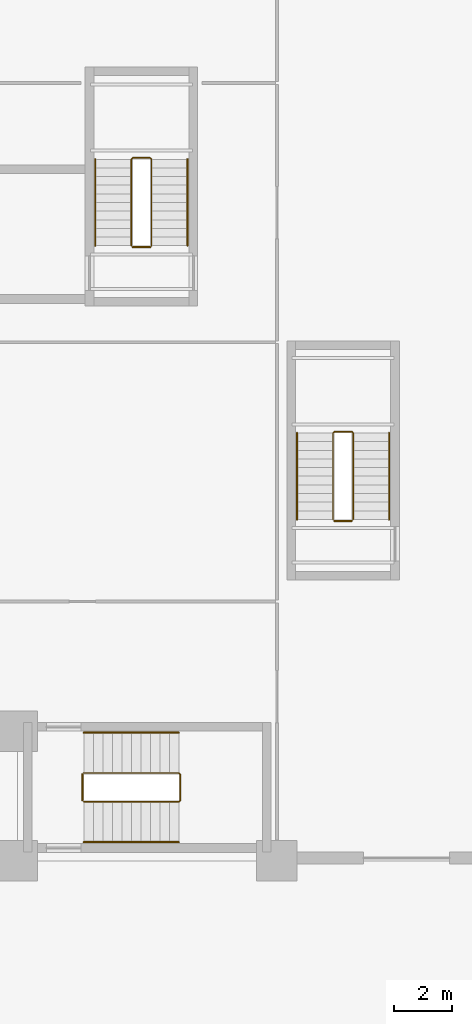
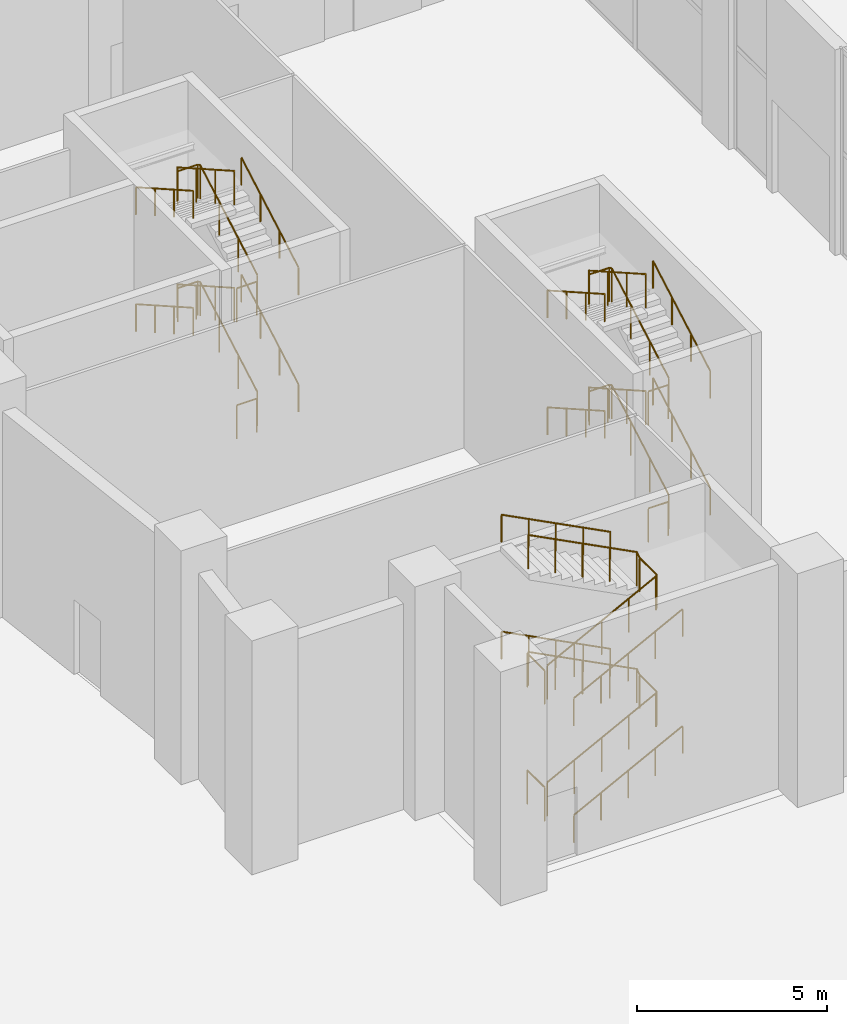
# One storey, part 13 of 16: 24 railings.
"""IFC4 building model written with IfcOpenShell, lengths in metres."""

from ifc_helpers import new_model, si_unit, direction, frame, origin, origin_2d, place, context, subcontext, project, spatial, circle, extrude, material, type_object, element, save


model = new_model("IFC4")

# Units and contexts
model_context = context("Model", 3, precision=1e-05, world=origin(), true_north=direction((0.0, 1.0)))
body_context = subcontext(model_context, "Body", "Model", "MODEL_VIEW")
ifc_project = project(units=[si_unit("LENGTHUNIT", "METRE"), si_unit("AREAUNIT", "SQUARE_METRE"), si_unit("VOLUMEUNIT", "CUBIC_METRE"), si_unit("PLANEANGLEUNIT", "RADIAN"), si_unit("MASSUNIT", "GRAM", prefix="KILO")], contexts=[model_context])

# Site, building, storey
site_placement = place(None, origin())
site = spatial("IfcSite", under=ifc_project, at=site_placement, CompositionType="ELEMENT")
building_placement = place(site_placement, origin())
building = spatial("IfcBuilding", under=site, at=building_placement, Name="Brondeck Convention Tower", CompositionType="ELEMENT")
storey_placement = place(building_placement, origin())
storey = spatial("IfcBuildingStorey", under=building, at=storey_placement, Name="L00", CompositionType="ELEMENT", Elevation=0.0)

# Railings
ifc_material = material(Name="Steel S355", Category="steel")
railing_type_1 = type_object("IfcRailingType", Name="Stair guard 1100", PredefinedType="GUARDRAIL", material=ifc_material)
railing_1_placement = place(storey_placement, frame((9.14990234375, 21.35009765625, 0.17041015625)))
element("IfcRailing", 1, at=railing_1_placement, inside=storey, type_object=railing_type_1, Name="L00 ST-BE stair guard 1", PredefinedType="GUARDRAIL", context=body_context, shape_type="SweptSolid", body=[
    extrude(circle(Radius=0.02392578125, at=origin_2d()), frame((0.0, 0.0, 1.076171875), z_axis=(0.0, 0.869451031676, 0.494019132744), x_axis=(-1.0, 0.0, 0.0)), (0.0, 0.0, 1.0), 3.450439453125),
    extrude(circle(Radius=0.02392578125, at=origin_2d()), frame((0.0, 3.0, 2.78076171875), z_axis=(-0.707106781187, 0.707106781187, 0.0), x_axis=(-0.707106781187, -0.707106781187, 0.0)), (0.0, 0.0, 1.0), 0.0703125),
    extrude(circle(Radius=0.02392578125, at=origin_2d()), frame((-0.0498046875, 3.0498046875, 2.78076171875), z_axis=(-1.0, 0.0, 0.0), x_axis=(0.0, -1.0, 0.0)), (0.0, 0.0, 1.0), 0.60009765625),
    extrude(circle(Radius=0.02392578125, at=origin_2d()), frame((-0.64990234375, 3.0498046875, 2.78076171875), z_axis=(-0.271328091682, -0.270004540015, 0.923839063385), x_axis=(0.705375805398, -0.708833529934, 0.0)), (0.0, 0.0, 1.0), 0.1845703125),
    extrude(circle(Radius=0.02392578125, at=origin_2d()), frame((-0.699951171875, 3.0, 2.951171875), z_axis=(0.0, -0.869451031676, 0.494019132744), x_axis=(1.0, 0.0, 0.0)), (0.0, 0.0, 1.0), 3.450439453125),
    extrude(circle(Radius=0.02099609375, at=origin_2d()), origin(), (0.0, 0.0, 1.0), 1.052001953125),
    extrude(circle(Radius=0.02099609375, at=origin_2d()), frame((0.0, 1.0, 0.568115234375)), (0.0, 0.0, 1.0), 1.052001953125),
    extrude(circle(Radius=0.02099609375, at=origin_2d()), frame((0.0, 2.0, 1.136474609375)), (0.0, 0.0, 1.0), 1.052001953125),
    extrude(circle(Radius=0.02099609375, at=origin_2d()), frame((0.0, 3.0, 1.70458984375)), (0.0, 0.0, 1.0), 1.052001953125),
    extrude(circle(Radius=0.02099609375, at=origin_2d()), frame((-0.0498046875, 3.0498046875, 1.70458984375)), (0.0, 0.0, 1.0), 1.052001953125),
    extrude(circle(Radius=0.02099609375, at=origin_2d()), frame((-0.64990234375, 3.0498046875, 1.70458984375)), (0.0, 0.0, 1.0), 1.052001953125),
    extrude(circle(Radius=0.02099609375, at=origin_2d()), frame((-0.699951171875, 3.0, 1.875)), (0.0, 0.0, 1.0), 1.052001953125),
    extrude(circle(Radius=0.02099609375, at=origin_2d()), frame((-0.699951171875, 2.0, 2.443115234375)), (0.0, 0.0, 1.0), 1.052001953125),
    extrude(circle(Radius=0.02099609375, at=origin_2d()), frame((-0.699951171875, 1.0, 3.011474609375)), (0.0, 0.0, 1.0), 1.052001953125),
    extrude(circle(Radius=0.02099609375, at=origin_2d()), frame((-0.699951171875, 0.0, 3.57958984375)), (0.0, 0.0, 1.0), 1.052001953125),
])
railing_2_placement = place(storey_placement, frame((9.10009765625, 21.300048828125, 3.75)))
element("IfcRailing", 2, at=railing_2_placement, inside=storey, type_object=railing_type_1, Name="L00 ST-BE stair guard 2", PredefinedType="GUARDRAIL", context=body_context, shape_type="SweptSolid", body=[
    extrude(circle(Radius=0.02392578125, at=origin_2d()), frame((0.0, 0.0, 1.076171875), z_axis=(-1.0, 0.0, 0.0), x_axis=(0.0, -1.0, 0.0)), (0.0, 0.0, 1.0), 0.60009765625),
    extrude(circle(Radius=0.02099609375, at=origin_2d()), origin(), (0.0, 0.0, 1.0), 1.052001953125),
    extrude(circle(Radius=0.02099609375, at=origin_2d()), frame((-0.60009765625, 0.0, 0.0)), (0.0, 0.0, 1.0), 1.052001953125),
])
railing_3_placement = place(storey_placement, frame((9.14990234375, 21.35009765625, 3.92041015625)))
element("IfcRailing", 3, at=railing_3_placement, inside=storey, type_object=railing_type_1, Name="L00 ST-BE stair guard 3", PredefinedType="GUARDRAIL", context=body_context, shape_type="SweptSolid", body=[
    extrude(circle(Radius=0.02392578125, at=origin_2d()), frame((0.0, 0.0, 1.076171875), z_axis=(0.0, 0.869451031676, 0.494019132744), x_axis=(-1.0, 0.0, 0.0)), (0.0, 0.0, 1.0), 3.450439453125),
    extrude(circle(Radius=0.02392578125, at=origin_2d()), frame((0.0, 3.0, 2.78076171875), z_axis=(-0.707106781187, 0.707106781187, 0.0), x_axis=(-0.707106781187, -0.707106781187, 0.0)), (0.0, 0.0, 1.0), 0.0703125),
    extrude(circle(Radius=0.02392578125, at=origin_2d()), frame((-0.0498046875, 3.0498046875, 2.78076171875), z_axis=(-1.0, 0.0, 0.0), x_axis=(0.0, -1.0, 0.0)), (0.0, 0.0, 1.0), 0.60009765625),
    extrude(circle(Radius=0.02392578125, at=origin_2d()), frame((-0.64990234375, 3.0498046875, 2.78076171875), z_axis=(-0.271328091682, -0.270004540015, 0.923839063385), x_axis=(0.705375805398, -0.708833529934, 0.0)), (0.0, 0.0, 1.0), 0.1845703125),
    extrude(circle(Radius=0.02392578125, at=origin_2d()), frame((-0.699951171875, 3.0, 2.951171875), z_axis=(0.0, -0.869451031676, 0.494019132744), x_axis=(1.0, 0.0, 0.0)), (0.0, 0.0, 1.0), 3.450439453125),
    extrude(circle(Radius=0.02099609375, at=origin_2d()), origin(), (0.0, 0.0, 1.0), 1.052001953125),
    extrude(circle(Radius=0.02099609375, at=origin_2d()), frame((0.0, 1.0, 0.568115234375)), (0.0, 0.0, 1.0), 1.052001953125),
    extrude(circle(Radius=0.02099609375, at=origin_2d()), frame((0.0, 2.0, 1.136474609375)), (0.0, 0.0, 1.0), 1.052001953125),
    extrude(circle(Radius=0.02099609375, at=origin_2d()), frame((0.0, 3.0, 1.70458984375)), (0.0, 0.0, 1.0), 1.052001953125),
    extrude(circle(Radius=0.02099609375, at=origin_2d()), frame((-0.0498046875, 3.0498046875, 1.70458984375)), (0.0, 0.0, 1.0), 1.052001953125),
    extrude(circle(Radius=0.02099609375, at=origin_2d()), frame((-0.64990234375, 3.0498046875, 1.70458984375)), (0.0, 0.0, 1.0), 1.052001953125),
    extrude(circle(Radius=0.02099609375, at=origin_2d()), frame((-0.699951171875, 3.0, 1.875)), (0.0, 0.0, 1.0), 1.052001953125),
    extrude(circle(Radius=0.02099609375, at=origin_2d()), frame((-0.699951171875, 2.0, 2.443115234375)), (0.0, 0.0, 1.0), 1.052001953125),
    extrude(circle(Radius=0.02099609375, at=origin_2d()), frame((-0.699951171875, 1.0, 3.011474609375)), (0.0, 0.0, 1.0), 1.052001953125),
    extrude(circle(Radius=0.02099609375, at=origin_2d()), frame((-0.699951171875, 0.0, 3.57958984375)), (0.0, 0.0, 1.0), 1.052001953125),
])
railing_4_placement = place(storey_placement, frame((9.10009765625, 21.300048828125, 0.0)))
element("IfcRailing", 4, at=railing_4_placement, inside=storey, type_object=railing_type_1, Name="L00 ST-BE stair guard 4", PredefinedType="GUARDRAIL", context=body_context, shape_type="SweptSolid", body=[
    extrude(circle(Radius=0.02392578125, at=origin_2d()), frame((0.0, 0.0, 1.076171875), z_axis=(-1.0, 0.0, 0.0), x_axis=(0.0, -1.0, 0.0)), (0.0, 0.0, 1.0), 0.60009765625),
    extrude(circle(Radius=0.02099609375, at=origin_2d()), origin(), (0.0, 0.0, 1.0), 1.052001953125),
    extrude(circle(Radius=0.02099609375, at=origin_2d()), frame((-0.60009765625, 0.0, 0.0)), (0.0, 0.0, 1.0), 1.052001953125),
])
railing_5_placement = place(storey_placement, frame((16.14990234375, 11.85009765625, 0.17041015625)))
element("IfcRailing", 5, at=railing_5_placement, inside=storey, type_object=railing_type_1, Name="L00 ST-BF stair guard 1", PredefinedType="GUARDRAIL", context=body_context, shape_type="SweptSolid", body=[
    extrude(circle(Radius=0.02392578125, at=origin_2d()), frame((0.0, 0.0, 1.076171875), z_axis=(0.0, 0.869451031676, 0.494019132744), x_axis=(-1.0, 0.0, 0.0)), (0.0, 0.0, 1.0), 3.450439453125),
    extrude(circle(Radius=0.02392578125, at=origin_2d()), frame((0.0, 3.0, 2.78076171875), z_axis=(-0.707106781187, 0.707106781187, 0.0), x_axis=(-0.707106781187, -0.707106781187, 0.0)), (0.0, 0.0, 1.0), 0.0703125),
    extrude(circle(Radius=0.02392578125, at=origin_2d()), frame((-0.0498046875, 3.0498046875, 2.78076171875), z_axis=(-1.0, 0.0, 0.0), x_axis=(0.0, -1.0, 0.0)), (0.0, 0.0, 1.0), 0.60009765625),
    extrude(circle(Radius=0.02392578125, at=origin_2d()), frame((-0.64990234375, 3.0498046875, 2.78076171875), z_axis=(-0.271328091682, -0.270004540015, 0.923839063385), x_axis=(0.705375805398, -0.708833529934, 0.0)), (0.0, 0.0, 1.0), 0.1845703125),
    extrude(circle(Radius=0.02392578125, at=origin_2d()), frame((-0.699951171875, 3.0, 2.951171875), z_axis=(0.0, -0.869451031676, 0.494019132744), x_axis=(1.0, 0.0, 0.0)), (0.0, 0.0, 1.0), 3.450439453125),
    extrude(circle(Radius=0.02099609375, at=origin_2d()), origin(), (0.0, 0.0, 1.0), 1.052001953125),
    extrude(circle(Radius=0.02099609375, at=origin_2d()), frame((0.0, 1.0, 0.568115234375)), (0.0, 0.0, 1.0), 1.052001953125),
    extrude(circle(Radius=0.02099609375, at=origin_2d()), frame((0.0, 2.0, 1.136474609375)), (0.0, 0.0, 1.0), 1.052001953125),
    extrude(circle(Radius=0.02099609375, at=origin_2d()), frame((0.0, 3.0, 1.70458984375)), (0.0, 0.0, 1.0), 1.052001953125),
    extrude(circle(Radius=0.02099609375, at=origin_2d()), frame((-0.0498046875, 3.0498046875, 1.70458984375)), (0.0, 0.0, 1.0), 1.052001953125),
    extrude(circle(Radius=0.02099609375, at=origin_2d()), frame((-0.64990234375, 3.0498046875, 1.70458984375)), (0.0, 0.0, 1.0), 1.052001953125),
    extrude(circle(Radius=0.02099609375, at=origin_2d()), frame((-0.699951171875, 3.0, 1.875)), (0.0, 0.0, 1.0), 1.052001953125),
    extrude(circle(Radius=0.02099609375, at=origin_2d()), frame((-0.699951171875, 2.0, 2.443115234375)), (0.0, 0.0, 1.0), 1.052001953125),
    extrude(circle(Radius=0.02099609375, at=origin_2d()), frame((-0.699951171875, 1.0, 3.011474609375)), (0.0, 0.0, 1.0), 1.052001953125),
    extrude(circle(Radius=0.02099609375, at=origin_2d()), frame((-0.699951171875, 0.0, 3.57958984375)), (0.0, 0.0, 1.0), 1.052001953125),
])
railing_6_placement = place(storey_placement, frame((16.10009765625, 11.800048828125, 3.75)))
element("IfcRailing", 6, at=railing_6_placement, inside=storey, type_object=railing_type_1, Name="L00 ST-BF stair guard 2", PredefinedType="GUARDRAIL", context=body_context, shape_type="SweptSolid", body=[
    extrude(circle(Radius=0.02392578125, at=origin_2d()), frame((0.0, 0.0, 1.076171875), z_axis=(-1.0, 0.0, 0.0), x_axis=(0.0, -1.0, 0.0)), (0.0, 0.0, 1.0), 0.60009765625),
    extrude(circle(Radius=0.02099609375, at=origin_2d()), origin(), (0.0, 0.0, 1.0), 1.052001953125),
    extrude(circle(Radius=0.02099609375, at=origin_2d()), frame((-0.60009765625, 0.0, 0.0)), (0.0, 0.0, 1.0), 1.052001953125),
])
railing_7_placement = place(storey_placement, frame((16.14990234375, 11.85009765625, 3.92041015625)))
element("IfcRailing", 7, at=railing_7_placement, inside=storey, type_object=railing_type_1, Name="L00 ST-BF stair guard 3", PredefinedType="GUARDRAIL", context=body_context, shape_type="SweptSolid", body=[
    extrude(circle(Radius=0.02392578125, at=origin_2d()), frame((0.0, 0.0, 1.076171875), z_axis=(0.0, 0.869451031676, 0.494019132744), x_axis=(-1.0, 0.0, 0.0)), (0.0, 0.0, 1.0), 3.450439453125),
    extrude(circle(Radius=0.02392578125, at=origin_2d()), frame((0.0, 3.0, 2.78076171875), z_axis=(-0.707106781187, 0.707106781187, 0.0), x_axis=(-0.707106781187, -0.707106781187, 0.0)), (0.0, 0.0, 1.0), 0.0703125),
    extrude(circle(Radius=0.02392578125, at=origin_2d()), frame((-0.0498046875, 3.0498046875, 2.78076171875), z_axis=(-1.0, 0.0, 0.0), x_axis=(0.0, -1.0, 0.0)), (0.0, 0.0, 1.0), 0.60009765625),
    extrude(circle(Radius=0.02392578125, at=origin_2d()), frame((-0.64990234375, 3.0498046875, 2.78076171875), z_axis=(-0.271328091682, -0.270004540015, 0.923839063385), x_axis=(0.705375805398, -0.708833529934, 0.0)), (0.0, 0.0, 1.0), 0.1845703125),
    extrude(circle(Radius=0.02392578125, at=origin_2d()), frame((-0.699951171875, 3.0, 2.951171875), z_axis=(0.0, -0.869451031676, 0.494019132744), x_axis=(1.0, 0.0, 0.0)), (0.0, 0.0, 1.0), 3.450439453125),
    extrude(circle(Radius=0.02099609375, at=origin_2d()), origin(), (0.0, 0.0, 1.0), 1.052001953125),
    extrude(circle(Radius=0.02099609375, at=origin_2d()), frame((0.0, 1.0, 0.568115234375)), (0.0, 0.0, 1.0), 1.052001953125),
    extrude(circle(Radius=0.02099609375, at=origin_2d()), frame((0.0, 2.0, 1.136474609375)), (0.0, 0.0, 1.0), 1.052001953125),
    extrude(circle(Radius=0.02099609375, at=origin_2d()), frame((0.0, 3.0, 1.70458984375)), (0.0, 0.0, 1.0), 1.052001953125),
    extrude(circle(Radius=0.02099609375, at=origin_2d()), frame((-0.0498046875, 3.0498046875, 1.70458984375)), (0.0, 0.0, 1.0), 1.052001953125),
    extrude(circle(Radius=0.02099609375, at=origin_2d()), frame((-0.64990234375, 3.0498046875, 1.70458984375)), (0.0, 0.0, 1.0), 1.052001953125),
    extrude(circle(Radius=0.02099609375, at=origin_2d()), frame((-0.699951171875, 3.0, 1.875)), (0.0, 0.0, 1.0), 1.052001953125),
    extrude(circle(Radius=0.02099609375, at=origin_2d()), frame((-0.699951171875, 2.0, 2.443115234375)), (0.0, 0.0, 1.0), 1.052001953125),
    extrude(circle(Radius=0.02099609375, at=origin_2d()), frame((-0.699951171875, 1.0, 3.011474609375)), (0.0, 0.0, 1.0), 1.052001953125),
    extrude(circle(Radius=0.02099609375, at=origin_2d()), frame((-0.699951171875, 0.0, 3.57958984375)), (0.0, 0.0, 1.0), 1.052001953125),
])
railing_8_placement = place(storey_placement, frame((16.10009765625, 11.800048828125, 0.0)))
element("IfcRailing", 8, at=railing_8_placement, inside=storey, type_object=railing_type_1, Name="L00 ST-BF stair guard 4", PredefinedType="GUARDRAIL", context=body_context, shape_type="SweptSolid", body=[
    extrude(circle(Radius=0.02392578125, at=origin_2d()), frame((0.0, 0.0, 1.076171875), z_axis=(-1.0, 0.0, 0.0), x_axis=(0.0, -1.0, 0.0)), (0.0, 0.0, 1.0), 0.60009765625),
    extrude(circle(Radius=0.02099609375, at=origin_2d()), origin(), (0.0, 0.0, 1.0), 1.052001953125),
    extrude(circle(Radius=0.02099609375, at=origin_2d()), frame((-0.60009765625, 0.0, 0.0)), (0.0, 0.0, 1.0), 1.052001953125),
])
railing_9_placement = place(storey_placement, frame((6.800048828125, 2.050048828125, 0.17041015625)))
element("IfcRailing", 9, at=railing_9_placement, inside=storey, type_object=railing_type_1, Name="L00 PS-2 stair guard 1", PredefinedType="GUARDRAIL", context=body_context, shape_type="SweptSolid", body=[
    extrude(circle(Radius=0.02392578125, at=origin_2d()), frame((0.0, 0.0, 1.076171875), z_axis=(0.888473704436, 0.0, 0.458927528621), x_axis=(0.0, 1.0, 0.0)), (0.0, 0.0, 1.0), 3.71435546875),
    extrude(circle(Radius=0.02392578125, at=origin_2d()), frame((3.300048828125, 0.0, 2.78076171875), z_axis=(0.705375805398, 0.708833529934, 0.0), x_axis=(-0.708833529934, 0.705375805398, 0.0)), (0.0, 0.0, 1.0), 0.070556640625),
    extrude(circle(Radius=0.02392578125, at=origin_2d()), frame((3.349853515625, 0.050048828125, 2.78076171875), z_axis=(0.0, 1.0, 0.0), x_axis=(-1.0, 0.0, 0.0)), (0.0, 0.0, 1.0), 0.89990234375),
    extrude(circle(Radius=0.02392578125, at=origin_2d()), frame((3.349853515625, 0.949951171875, 2.78076171875), z_axis=(-0.270004540015, 0.271328091682, 0.923839063385), x_axis=(-0.708833529934, -0.705375805398, 0.0)), (0.0, 0.0, 1.0), 0.1845703125),
    extrude(circle(Radius=0.02392578125, at=origin_2d()), frame((3.300048828125, 1.0, 2.951171875), z_axis=(-0.888473704436, 0.0, 0.458927528621), x_axis=(0.0, -1.0, 0.0)), (0.0, 0.0, 1.0), 3.71435546875),
    extrude(circle(Radius=0.02099609375, at=origin_2d()), origin(), (0.0, 0.0, 1.0), 1.052001953125),
    extrude(circle(Radius=0.02099609375, at=origin_2d()), frame((0.824951171875, 0.0, 0.42626953125)), (0.0, 0.0, 1.0), 1.052001953125),
    extrude(circle(Radius=0.02099609375, at=origin_2d()), frame((1.64990234375, 0.0, 0.852294921875)), (0.0, 0.0, 1.0), 1.052001953125),
    extrude(circle(Radius=0.02099609375, at=origin_2d()), frame((2.47509765625, 0.0, 1.2783203125)), (0.0, 0.0, 1.0), 1.052001953125),
    extrude(circle(Radius=0.02099609375, at=origin_2d()), frame((3.300048828125, 0.0, 1.70458984375)), (0.0, 0.0, 1.0), 1.052001953125),
    extrude(circle(Radius=0.02099609375, at=origin_2d()), frame((3.349853515625, 0.050048828125, 1.70458984375)), (0.0, 0.0, 1.0), 1.052001953125),
    extrude(circle(Radius=0.02099609375, at=origin_2d()), frame((3.349853515625, 0.949951171875, 1.70458984375)), (0.0, 0.0, 1.0), 1.052001953125),
    extrude(circle(Radius=0.02099609375, at=origin_2d()), frame((3.300048828125, 1.0, 1.875)), (0.0, 0.0, 1.0), 1.052001953125),
    extrude(circle(Radius=0.02099609375, at=origin_2d()), frame((2.47509765625, 1.0, 2.30126953125)), (0.0, 0.0, 1.0), 1.052001953125),
    extrude(circle(Radius=0.02099609375, at=origin_2d()), frame((1.64990234375, 1.0, 2.727294921875)), (0.0, 0.0, 1.0), 1.052001953125),
    extrude(circle(Radius=0.02099609375, at=origin_2d()), frame((0.824951171875, 1.0, 3.1533203125)), (0.0, 0.0, 1.0), 1.052001953125),
    extrude(circle(Radius=0.02099609375, at=origin_2d()), frame((0.0, 1.0, 3.57958984375)), (0.0, 0.0, 1.0), 1.052001953125),
])
railing_10_placement = place(storey_placement, frame((6.75, 2.10009765625, 3.75)))
element("IfcRailing", 10, at=railing_10_placement, inside=storey, type_object=railing_type_1, Name="L00 PS-2 stair guard 2", PredefinedType="GUARDRAIL", context=body_context, shape_type="SweptSolid", body=[
    extrude(circle(Radius=0.02392578125, at=origin_2d()), frame((0.0, 0.0, 1.076171875), z_axis=(0.0, 1.0, 0.0), x_axis=(-1.0, 0.0, 0.0)), (0.0, 0.0, 1.0), 0.89990234375),
    extrude(circle(Radius=0.02099609375, at=origin_2d()), origin(), (0.0, 0.0, 1.0), 1.052001953125),
    extrude(circle(Radius=0.02099609375, at=origin_2d()), frame((0.0, 0.89990234375, 0.0)), (0.0, 0.0, 1.0), 1.052001953125),
])
railing_11_placement = place(storey_placement, frame((6.800048828125, 2.050048828125, 3.92041015625)))
element("IfcRailing", 11, at=railing_11_placement, inside=storey, type_object=railing_type_1, Name="L00 PS-2 stair guard 3", PredefinedType="GUARDRAIL", context=body_context, shape_type="SweptSolid", body=[
    extrude(circle(Radius=0.02392578125, at=origin_2d()), frame((0.0, 0.0, 1.076171875), z_axis=(0.888473704436, 0.0, 0.458927528621), x_axis=(0.0, 1.0, 0.0)), (0.0, 0.0, 1.0), 3.71435546875),
    extrude(circle(Radius=0.02392578125, at=origin_2d()), frame((3.300048828125, 0.0, 2.78076171875), z_axis=(0.705375805398, 0.708833529934, 0.0), x_axis=(-0.708833529934, 0.705375805398, 0.0)), (0.0, 0.0, 1.0), 0.070556640625),
    extrude(circle(Radius=0.02392578125, at=origin_2d()), frame((3.349853515625, 0.050048828125, 2.78076171875), z_axis=(0.0, 1.0, 0.0), x_axis=(-1.0, 0.0, 0.0)), (0.0, 0.0, 1.0), 0.89990234375),
    extrude(circle(Radius=0.02392578125, at=origin_2d()), frame((3.349853515625, 0.949951171875, 2.78076171875), z_axis=(-0.270004540015, 0.271328091682, 0.923839063385), x_axis=(-0.708833529934, -0.705375805398, 0.0)), (0.0, 0.0, 1.0), 0.1845703125),
    extrude(circle(Radius=0.02392578125, at=origin_2d()), frame((3.300048828125, 1.0, 2.951171875), z_axis=(-0.888473704436, 0.0, 0.458927528621), x_axis=(0.0, -1.0, 0.0)), (0.0, 0.0, 1.0), 3.71435546875),
    extrude(circle(Radius=0.02099609375, at=origin_2d()), origin(), (0.0, 0.0, 1.0), 1.052001953125),
    extrude(circle(Radius=0.02099609375, at=origin_2d()), frame((0.824951171875, 0.0, 0.42626953125)), (0.0, 0.0, 1.0), 1.052001953125),
    extrude(circle(Radius=0.02099609375, at=origin_2d()), frame((1.64990234375, 0.0, 0.852294921875)), (0.0, 0.0, 1.0), 1.052001953125),
    extrude(circle(Radius=0.02099609375, at=origin_2d()), frame((2.47509765625, 0.0, 1.2783203125)), (0.0, 0.0, 1.0), 1.052001953125),
    extrude(circle(Radius=0.02099609375, at=origin_2d()), frame((3.300048828125, 0.0, 1.70458984375)), (0.0, 0.0, 1.0), 1.052001953125),
    extrude(circle(Radius=0.02099609375, at=origin_2d()), frame((3.349853515625, 0.050048828125, 1.70458984375)), (0.0, 0.0, 1.0), 1.052001953125),
    extrude(circle(Radius=0.02099609375, at=origin_2d()), frame((3.349853515625, 0.949951171875, 1.70458984375)), (0.0, 0.0, 1.0), 1.052001953125),
    extrude(circle(Radius=0.02099609375, at=origin_2d()), frame((3.300048828125, 1.0, 1.875)), (0.0, 0.0, 1.0), 1.052001953125),
    extrude(circle(Radius=0.02099609375, at=origin_2d()), frame((2.47509765625, 1.0, 2.30126953125)), (0.0, 0.0, 1.0), 1.052001953125),
    extrude(circle(Radius=0.02099609375, at=origin_2d()), frame((1.64990234375, 1.0, 2.727294921875)), (0.0, 0.0, 1.0), 1.052001953125),
    extrude(circle(Radius=0.02099609375, at=origin_2d()), frame((0.824951171875, 1.0, 3.1533203125)), (0.0, 0.0, 1.0), 1.052001953125),
    extrude(circle(Radius=0.02099609375, at=origin_2d()), frame((0.0, 1.0, 3.57958984375)), (0.0, 0.0, 1.0), 1.052001953125),
])
railing_12_placement = place(storey_placement, frame((6.75, 2.10009765625, 0.0)))
element("IfcRailing", 12, at=railing_12_placement, inside=storey, type_object=railing_type_1, Name="L00 PS-2 stair guard 4", PredefinedType="GUARDRAIL", context=body_context, shape_type="SweptSolid", body=[
    extrude(circle(Radius=0.02392578125, at=origin_2d()), frame((0.0, 0.0, 1.076171875), z_axis=(0.0, 1.0, 0.0), x_axis=(-1.0, 0.0, 0.0)), (0.0, 0.0, 1.0), 0.89990234375),
    extrude(circle(Radius=0.02099609375, at=origin_2d()), origin(), (0.0, 0.0, 1.0), 1.052001953125),
    extrude(circle(Radius=0.02099609375, at=origin_2d()), frame((0.0, 0.89990234375, 0.0)), (0.0, 0.0, 1.0), 1.052001953125),
])
railing_type_2 = type_object("IfcRailingType", Name="Stair handrail", PredefinedType="HANDRAIL", material=ifc_material)
railing_13_placement = place(storey_placement, frame((10.39990234375, 21.35009765625, 0.17041015625)))
element("IfcRailing", 13, at=railing_13_placement, inside=storey, type_object=railing_type_2, Name="L00 ST-BE stair handrail 1", PredefinedType="HANDRAIL", context=body_context, shape_type="SweptSolid", body=[
    extrude(circle(Radius=0.02392578125, at=origin_2d()), frame((0.0, 0.0, 0.8759765625), z_axis=(0.0, 0.869451031676, 0.494019132744), x_axis=(-1.0, 0.0, 0.0)), (0.0, 0.0, 1.0), 3.450439453125),
    extrude(circle(Radius=0.02099609375, at=origin_2d()), origin(), (0.0, 0.0, 1.0), 0.851806640625),
    extrude(circle(Radius=0.02099609375, at=origin_2d()), frame((0.0, 1.0, 0.568115234375)), (0.0, 0.0, 1.0), 0.851806640625),
    extrude(circle(Radius=0.02099609375, at=origin_2d()), frame((0.0, 2.0, 1.136474609375)), (0.0, 0.0, 1.0), 0.851806640625),
    extrude(circle(Radius=0.02099609375, at=origin_2d()), frame((0.0, 3.0, 1.70458984375)), (0.0, 0.0, 1.0), 0.851806640625),
])
railing_14_placement = place(storey_placement, frame((7.199951171875, 24.35009765625, 2.04541015625)))
element("IfcRailing", 14, at=railing_14_placement, inside=storey, type_object=railing_type_2, Name="L00 ST-BE stair handrail 2", PredefinedType="HANDRAIL", context=body_context, shape_type="SweptSolid", body=[
    extrude(circle(Radius=0.02392578125, at=origin_2d()), frame((0.0, 0.0, 0.8759765625), z_axis=(0.0, -0.869451031676, 0.494019132744), x_axis=(1.0, 0.0, 0.0)), (0.0, 0.0, 1.0), 3.450439453125),
    extrude(circle(Radius=0.02099609375, at=origin_2d()), origin(), (0.0, 0.0, 1.0), 0.851806640625),
    extrude(circle(Radius=0.02099609375, at=origin_2d()), frame((0.0, -1.0, 0.568115234375)), (0.0, 0.0, 1.0), 0.851806640625),
    extrude(circle(Radius=0.02099609375, at=origin_2d()), frame((0.0, -2.0, 1.136474609375)), (0.0, 0.0, 1.0), 0.851806640625),
    extrude(circle(Radius=0.02099609375, at=origin_2d()), frame((0.0, -3.0, 1.70458984375)), (0.0, 0.0, 1.0), 0.851806640625),
])
railing_15_placement = place(storey_placement, frame((10.39990234375, 21.35009765625, 3.92041015625)))
element("IfcRailing", 15, at=railing_15_placement, inside=storey, type_object=railing_type_2, Name="L00 ST-BE stair handrail 3", PredefinedType="HANDRAIL", context=body_context, shape_type="SweptSolid", body=[
    extrude(circle(Radius=0.02392578125, at=origin_2d()), frame((0.0, 0.0, 0.8759765625), z_axis=(0.0, 0.869451031676, 0.494019132744), x_axis=(-1.0, 0.0, 0.0)), (0.0, 0.0, 1.0), 3.450439453125),
    extrude(circle(Radius=0.02099609375, at=origin_2d()), origin(), (0.0, 0.0, 1.0), 0.851806640625),
    extrude(circle(Radius=0.02099609375, at=origin_2d()), frame((0.0, 1.0, 0.568115234375)), (0.0, 0.0, 1.0), 0.851806640625),
    extrude(circle(Radius=0.02099609375, at=origin_2d()), frame((0.0, 2.0, 1.136474609375)), (0.0, 0.0, 1.0), 0.851806640625),
    extrude(circle(Radius=0.02099609375, at=origin_2d()), frame((0.0, 3.0, 1.70458984375)), (0.0, 0.0, 1.0), 0.851806640625),
])
railing_16_placement = place(storey_placement, frame((7.199951171875, 24.35009765625, 5.79541015625)))
element("IfcRailing", 16, at=railing_16_placement, inside=storey, type_object=railing_type_2, Name="L00 ST-BE stair handrail 4", PredefinedType="HANDRAIL", context=body_context, shape_type="SweptSolid", body=[
    extrude(circle(Radius=0.02392578125, at=origin_2d()), frame((0.0, 0.0, 0.8759765625), z_axis=(0.0, -0.869451031676, 0.494019132744), x_axis=(1.0, 0.0, 0.0)), (0.0, 0.0, 1.0), 3.450439453125),
    extrude(circle(Radius=0.02099609375, at=origin_2d()), origin(), (0.0, 0.0, 1.0), 0.851806640625),
    extrude(circle(Radius=0.02099609375, at=origin_2d()), frame((0.0, -1.0, 0.568115234375)), (0.0, 0.0, 1.0), 0.851806640625),
    extrude(circle(Radius=0.02099609375, at=origin_2d()), frame((0.0, -2.0, 1.136474609375)), (0.0, 0.0, 1.0), 0.851806640625),
    extrude(circle(Radius=0.02099609375, at=origin_2d()), frame((0.0, -3.0, 1.70458984375)), (0.0, 0.0, 1.0), 0.851806640625),
])
railing_17_placement = place(storey_placement, frame((17.39990234375, 11.85009765625, 0.17041015625)))
element("IfcRailing", 17, at=railing_17_placement, inside=storey, type_object=railing_type_2, Name="L00 ST-BF stair handrail 1", PredefinedType="HANDRAIL", context=body_context, shape_type="SweptSolid", body=[
    extrude(circle(Radius=0.02392578125, at=origin_2d()), frame((0.0, 0.0, 0.8759765625), z_axis=(0.0, 0.869451031676, 0.494019132744), x_axis=(-1.0, 0.0, 0.0)), (0.0, 0.0, 1.0), 3.450439453125),
    extrude(circle(Radius=0.02099609375, at=origin_2d()), origin(), (0.0, 0.0, 1.0), 0.851806640625),
    extrude(circle(Radius=0.02099609375, at=origin_2d()), frame((0.0, 1.0, 0.568115234375)), (0.0, 0.0, 1.0), 0.851806640625),
    extrude(circle(Radius=0.02099609375, at=origin_2d()), frame((0.0, 2.0, 1.136474609375)), (0.0, 0.0, 1.0), 0.851806640625),
    extrude(circle(Radius=0.02099609375, at=origin_2d()), frame((0.0, 3.0, 1.70458984375)), (0.0, 0.0, 1.0), 0.851806640625),
])
railing_18_placement = place(storey_placement, frame((14.199951171875, 14.85009765625, 2.04541015625)))
element("IfcRailing", 18, at=railing_18_placement, inside=storey, type_object=railing_type_2, Name="L00 ST-BF stair handrail 2", PredefinedType="HANDRAIL", context=body_context, shape_type="SweptSolid", body=[
    extrude(circle(Radius=0.02392578125, at=origin_2d()), frame((0.0, 0.0, 0.8759765625), z_axis=(0.0, -0.869451031676, 0.494019132744), x_axis=(1.0, 0.0, 0.0)), (0.0, 0.0, 1.0), 3.450439453125),
    extrude(circle(Radius=0.02099609375, at=origin_2d()), origin(), (0.0, 0.0, 1.0), 0.851806640625),
    extrude(circle(Radius=0.02099609375, at=origin_2d()), frame((0.0, -1.0, 0.568115234375)), (0.0, 0.0, 1.0), 0.851806640625),
    extrude(circle(Radius=0.02099609375, at=origin_2d()), frame((0.0, -2.0, 1.136474609375)), (0.0, 0.0, 1.0), 0.851806640625),
    extrude(circle(Radius=0.02099609375, at=origin_2d()), frame((0.0, -3.0, 1.70458984375)), (0.0, 0.0, 1.0), 0.851806640625),
])
railing_19_placement = place(storey_placement, frame((17.39990234375, 11.85009765625, 3.92041015625)))
element("IfcRailing", 19, at=railing_19_placement, inside=storey, type_object=railing_type_2, Name="L00 ST-BF stair handrail 3", PredefinedType="HANDRAIL", context=body_context, shape_type="SweptSolid", body=[
    extrude(circle(Radius=0.02392578125, at=origin_2d()), frame((0.0, 0.0, 0.8759765625), z_axis=(0.0, 0.869451031676, 0.494019132744), x_axis=(-1.0, 0.0, 0.0)), (0.0, 0.0, 1.0), 3.450439453125),
    extrude(circle(Radius=0.02099609375, at=origin_2d()), origin(), (0.0, 0.0, 1.0), 0.851806640625),
    extrude(circle(Radius=0.02099609375, at=origin_2d()), frame((0.0, 1.0, 0.568115234375)), (0.0, 0.0, 1.0), 0.851806640625),
    extrude(circle(Radius=0.02099609375, at=origin_2d()), frame((0.0, 2.0, 1.136474609375)), (0.0, 0.0, 1.0), 0.851806640625),
    extrude(circle(Radius=0.02099609375, at=origin_2d()), frame((0.0, 3.0, 1.70458984375)), (0.0, 0.0, 1.0), 0.851806640625),
])
railing_20_placement = place(storey_placement, frame((14.199951171875, 14.85009765625, 5.79541015625)))
element("IfcRailing", 20, at=railing_20_placement, inside=storey, type_object=railing_type_2, Name="L00 ST-BF stair handrail 4", PredefinedType="HANDRAIL", context=body_context, shape_type="SweptSolid", body=[
    extrude(circle(Radius=0.02392578125, at=origin_2d()), frame((0.0, 0.0, 0.8759765625), z_axis=(0.0, -0.869451031676, 0.494019132744), x_axis=(1.0, 0.0, 0.0)), (0.0, 0.0, 1.0), 3.450439453125),
    extrude(circle(Radius=0.02099609375, at=origin_2d()), origin(), (0.0, 0.0, 1.0), 0.851806640625),
    extrude(circle(Radius=0.02099609375, at=origin_2d()), frame((0.0, -1.0, 0.568115234375)), (0.0, 0.0, 1.0), 0.851806640625),
    extrude(circle(Radius=0.02099609375, at=origin_2d()), frame((0.0, -2.0, 1.136474609375)), (0.0, 0.0, 1.0), 0.851806640625),
    extrude(circle(Radius=0.02099609375, at=origin_2d()), frame((0.0, -3.0, 1.70458984375)), (0.0, 0.0, 1.0), 0.851806640625),
])
railing_21_placement = place(storey_placement, frame((6.800048828125, 0.64990234375, 0.17041015625)))
element("IfcRailing", 21, at=railing_21_placement, inside=storey, type_object=railing_type_2, Name="L00 PS-2 stair handrail 1", PredefinedType="HANDRAIL", context=body_context, shape_type="SweptSolid", body=[
    extrude(circle(Radius=0.02392578125, at=origin_2d()), frame((0.0, 0.0, 0.8759765625), z_axis=(0.888473704436, 0.0, 0.458927528621), x_axis=(0.0, 1.0, 0.0)), (0.0, 0.0, 1.0), 3.71435546875),
    extrude(circle(Radius=0.02099609375, at=origin_2d()), origin(), (0.0, 0.0, 1.0), 0.851806640625),
    extrude(circle(Radius=0.02099609375, at=origin_2d()), frame((0.824951171875, 0.0, 0.42626953125)), (0.0, 0.0, 1.0), 0.851806640625),
    extrude(circle(Radius=0.02099609375, at=origin_2d()), frame((1.64990234375, 0.0, 0.852294921875)), (0.0, 0.0, 1.0), 0.851806640625),
    extrude(circle(Radius=0.02099609375, at=origin_2d()), frame((2.47509765625, 0.0, 1.2783203125)), (0.0, 0.0, 1.0), 0.851806640625),
    extrude(circle(Radius=0.02099609375, at=origin_2d()), frame((3.300048828125, 0.0, 1.70458984375)), (0.0, 0.0, 1.0), 0.851806640625),
])
railing_22_placement = place(storey_placement, frame((10.10009765625, 4.449951171875, 2.04541015625)))
element("IfcRailing", 22, at=railing_22_placement, inside=storey, type_object=railing_type_2, Name="L00 PS-2 stair handrail 2", PredefinedType="HANDRAIL", context=body_context, shape_type="SweptSolid", body=[
    extrude(circle(Radius=0.02392578125, at=origin_2d()), frame((0.0, 0.0, 0.8759765625), z_axis=(-0.888473704436, 0.0, 0.458927528621), x_axis=(0.0, -1.0, 0.0)), (0.0, 0.0, 1.0), 3.71435546875),
    extrude(circle(Radius=0.02099609375, at=origin_2d()), origin(), (0.0, 0.0, 1.0), 0.851806640625),
    extrude(circle(Radius=0.02099609375, at=origin_2d()), frame((-0.824951171875, 0.0, 0.42626953125)), (0.0, 0.0, 1.0), 0.851806640625),
    extrude(circle(Radius=0.02099609375, at=origin_2d()), frame((-1.64990234375, 0.0, 0.852294921875)), (0.0, 0.0, 1.0), 0.851806640625),
    extrude(circle(Radius=0.02099609375, at=origin_2d()), frame((-2.47509765625, 0.0, 1.2783203125)), (0.0, 0.0, 1.0), 0.851806640625),
    extrude(circle(Radius=0.02099609375, at=origin_2d()), frame((-3.300048828125, 0.0, 1.70458984375)), (0.0, 0.0, 1.0), 0.851806640625),
])
railing_23_placement = place(storey_placement, frame((6.800048828125, 0.64990234375, 3.92041015625)))
element("IfcRailing", 23, at=railing_23_placement, inside=storey, type_object=railing_type_2, Name="L00 PS-2 stair handrail 3", PredefinedType="HANDRAIL", context=body_context, shape_type="SweptSolid", body=[
    extrude(circle(Radius=0.02392578125, at=origin_2d()), frame((0.0, 0.0, 0.8759765625), z_axis=(0.888473704436, 0.0, 0.458927528621), x_axis=(0.0, 1.0, 0.0)), (0.0, 0.0, 1.0), 3.71435546875),
    extrude(circle(Radius=0.02099609375, at=origin_2d()), origin(), (0.0, 0.0, 1.0), 0.851806640625),
    extrude(circle(Radius=0.02099609375, at=origin_2d()), frame((0.824951171875, 0.0, 0.42626953125)), (0.0, 0.0, 1.0), 0.851806640625),
    extrude(circle(Radius=0.02099609375, at=origin_2d()), frame((1.64990234375, 0.0, 0.852294921875)), (0.0, 0.0, 1.0), 0.851806640625),
    extrude(circle(Radius=0.02099609375, at=origin_2d()), frame((2.47509765625, 0.0, 1.2783203125)), (0.0, 0.0, 1.0), 0.851806640625),
    extrude(circle(Radius=0.02099609375, at=origin_2d()), frame((3.300048828125, 0.0, 1.70458984375)), (0.0, 0.0, 1.0), 0.851806640625),
])
railing_24_placement = place(storey_placement, frame((10.10009765625, 4.449951171875, 5.79541015625)))
element("IfcRailing", 24, at=railing_24_placement, inside=storey, type_object=railing_type_2, Name="L00 PS-2 stair handrail 4", PredefinedType="HANDRAIL", context=body_context, shape_type="SweptSolid", body=[
    extrude(circle(Radius=0.02392578125, at=origin_2d()), frame((0.0, 0.0, 0.8759765625), z_axis=(-0.888473704436, 0.0, 0.458927528621), x_axis=(0.0, -1.0, 0.0)), (0.0, 0.0, 1.0), 3.71435546875),
    extrude(circle(Radius=0.02099609375, at=origin_2d()), origin(), (0.0, 0.0, 1.0), 0.851806640625),
    extrude(circle(Radius=0.02099609375, at=origin_2d()), frame((-0.824951171875, 0.0, 0.42626953125)), (0.0, 0.0, 1.0), 0.851806640625),
    extrude(circle(Radius=0.02099609375, at=origin_2d()), frame((-1.64990234375, 0.0, 0.852294921875)), (0.0, 0.0, 1.0), 0.851806640625),
    extrude(circle(Radius=0.02099609375, at=origin_2d()), frame((-2.47509765625, 0.0, 1.2783203125)), (0.0, 0.0, 1.0), 0.851806640625),
    extrude(circle(Radius=0.02099609375, at=origin_2d()), frame((-3.300048828125, 0.0, 1.70458984375)), (0.0, 0.0, 1.0), 0.851806640625),
])

save(model, "model.ifc")
